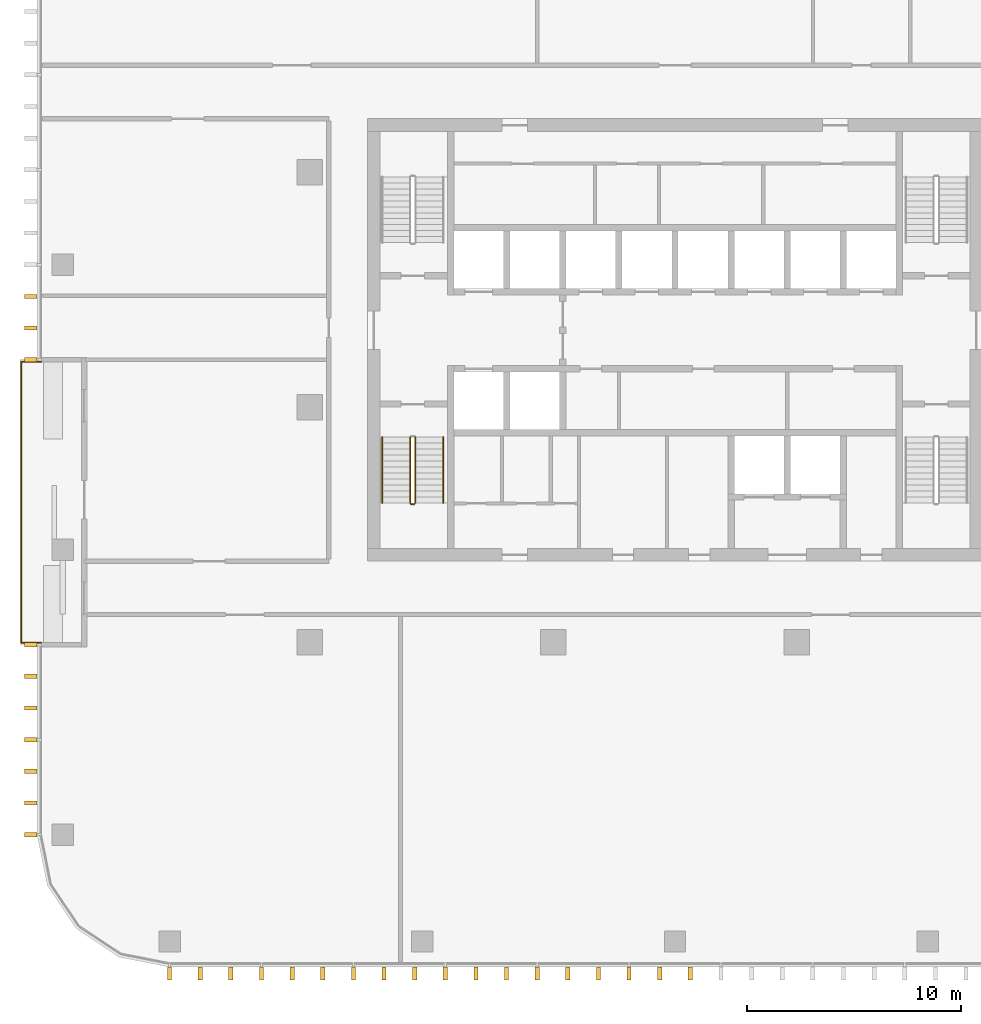
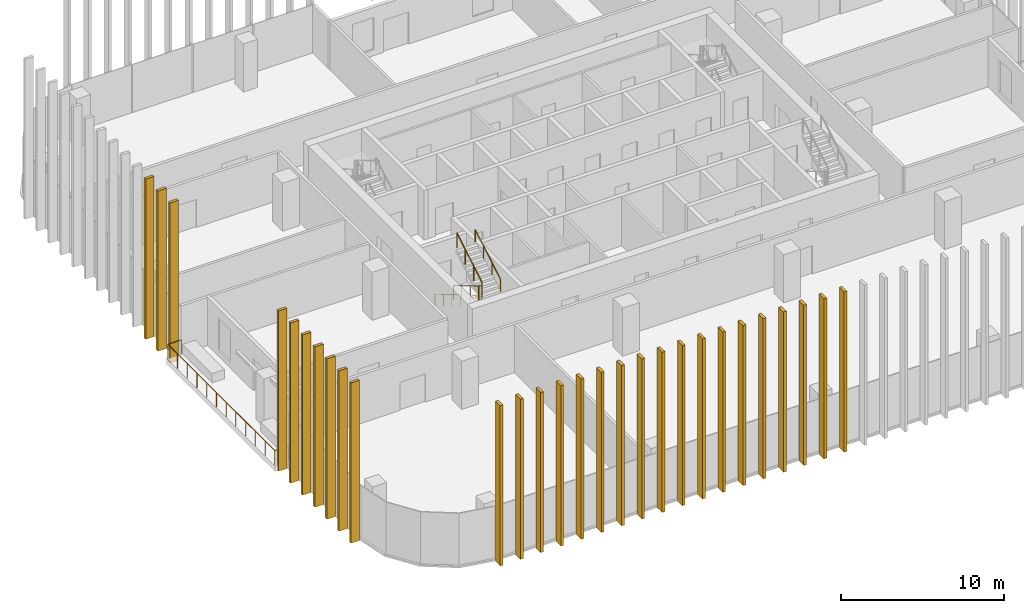
# One storey, part 11 of 16: 28 shading devices, 5 railings.
"""IFC4 building model written with IfcOpenShell, lengths in metres."""

import ifcopenshell
import ifcopenshell.guid

model = None  # the IFC model being written
_history = None  # IfcOwnerHistory: only IFC2X3 demands one
_inside = {}  # id of a spatial element -> (the spatial element, [elements in it])
_under = {}  # id of a project, library or spatial element -> (it, [spatial elements below it])
_declared = {}  # id of a project -> (the project, [libraries it declares])
_typed = {}  # id of a type object -> (the type object, [elements of that type])
_made_of = {}  # id of a material, layer set ... -> (it, [elements and type objects made of it])


def new_model(schema):
    """Start an empty IFC model of exactly this schema.

    Asked for "IFC4X3", IfcOpenShell would pick the latest addendum, in which some entities
    have other attributes; the version numbers below select the first issue.
    IFC2X3 requires an IfcOwnerHistory on every rooted entity: one is made here for all.
    """
    global model, _history
    if schema == "IFC4X3":
        model = ifcopenshell.file(schema_version=(4, 3, 0, 0))
    else:
        model = ifcopenshell.file(schema=schema)
    _inside.clear()
    _under.clear()
    _declared.clear()
    _typed.clear()
    _made_of.clear()
    _history = None
    if model.schema == "IFC2X3":
        org = make("IfcOrganization", Name="unknown")
        user = make(
            "IfcPersonAndOrganization",
            ThePerson=make("IfcPerson", FamilyName="unknown"),
            TheOrganization=org,
        )
        app = make(
            "IfcApplication",
            ApplicationDeveloper=org,
            Version="unknown",
            ApplicationFullName="unknown",
            ApplicationIdentifier="unknown",
        )
        _history = make(
            "IfcOwnerHistory",
            OwningUser=user,
            OwningApplication=app,
            ChangeAction="ADDED",
            CreationDate=0,
        )
    return model


def make(cls, **values):
    """One entity of the class cls with the attributes given. An attribute that is None is left unset."""
    return model.create_entity(
        cls, **{name: value for name, value in values.items() if value is not None}
    )


def rooted(cls, **values):
    """An entity with a GlobalId (a new one), such as an element, a storey or a relation."""
    return make(cls, GlobalId=ifcopenshell.guid.new(), OwnerHistory=_history, **values)


def si_unit(unit_type, name, prefix=None):
    """IfcSIUnit, for example si_unit("LENGTHUNIT", "METRE", prefix="MILLI")."""
    return make("IfcSIUnit", UnitType=unit_type, Prefix=prefix, Name=name)


def assignment(units):
    """IfcUnitAssignment: the units of a project."""
    return None if units is None else make("IfcUnitAssignment", Units=units)


def point(xyz):
    """IfcCartesianPoint."""
    return None if xyz is None else make("IfcCartesianPoint", Coordinates=xyz)


def direction(xyz):
    """IfcDirection."""
    return None if xyz is None else make("IfcDirection", DirectionRatios=xyz)


def frame(location, z_axis=None, x_axis=None):
    """IfcAxis2Placement3D, a coordinate frame: its origin and axes. An axis left out is left unset."""
    return make(
        "IfcAxis2Placement3D",
        Location=point(location),
        Axis=direction(z_axis),
        RefDirection=direction(x_axis),
    )


def frame_2d(location, x_axis=None):
    """IfcAxis2Placement2D, a coordinate frame in the plane: its origin and x axis."""
    return make(
        "IfcAxis2Placement2D", Location=point(location), RefDirection=direction(x_axis)
    )


def origin():
    """The frame at (0, 0, 0) with its axes left unset."""
    return frame((0.0, 0.0, 0.0))


def origin_2d():
    """The frame at (0, 0) in the plane with its x axis left unset."""
    return frame_2d((0.0, 0.0))


def place(relative_to, where):
    """IfcLocalPlacement: puts the frame where relative to a parent placement (None: the world)."""
    return make(
        "IfcLocalPlacement", PlacementRelTo=relative_to, RelativePlacement=where
    )


def context(
    kind, dimensions, precision=None, world=None, true_north=None, identifier=None
):
    """IfcGeometricRepresentationContext, for example the 3D "Model" context."""
    return make(
        "IfcGeometricRepresentationContext",
        ContextIdentifier=identifier,
        ContextType=kind,
        CoordinateSpaceDimension=dimensions,
        Precision=precision,
        WorldCoordinateSystem=world,
        TrueNorth=true_north,
    )


def subcontext(parent, identifier, kind, view, scale=None):
    """IfcGeometricRepresentationSubContext, for example "Body" below "Model"."""
    return make(
        "IfcGeometricRepresentationSubContext",
        ContextIdentifier=identifier,
        ContextType=kind,
        ParentContext=parent,
        TargetScale=scale,
        TargetView=view,
    )


def project(units=None, contexts=None):
    """IfcProject with its units and contexts."""
    return rooted(
        "IfcProject",
        Name="project",
        RepresentationContexts=contexts,
        UnitsInContext=assignment(units),
    )


def spatial(cls, under=None, at=None, **own):
    """A site, building, storey or space (cls), placed at a placement, below another one or the project."""
    s = rooted(cls, ObjectPlacement=at, **own)
    if under is not None:
        _under.setdefault(under.id(), (under, []))[1].append(s)
    return s


def profile(cls, at=None, kind="AREA", **sizes):
    """A parametric profile (cls). Its sizes go by their IFC names, for example OverallWidth=200.0."""
    return make(cls, ProfileType=kind, Position=at, **sizes)


def rectangle(**sizes):
    """IfcRectangleProfileDef."""
    return profile("IfcRectangleProfileDef", **sizes)


def circle(**sizes):
    """IfcCircleProfileDef."""
    return profile("IfcCircleProfileDef", **sizes)


def extrude(swept, where, along, depth):
    """IfcExtrudedAreaSolid: the profile swept, set in the frame where, extruded along a direction by depth."""
    return make(
        "IfcExtrudedAreaSolid",
        SweptArea=swept,
        Position=where,
        ExtrudedDirection=direction(along),
        Depth=depth,
    )


def shape(context_of_items, identifier, shape_type, items):
    """IfcShapeRepresentation: the items that make up one representation, for example the "Body"."""
    return make(
        "IfcShapeRepresentation",
        ContextOfItems=context_of_items,
        RepresentationIdentifier=identifier,
        RepresentationType=shape_type,
        Items=items,
    )


def material(Name=None, Category=None):
    """IfcMaterial."""
    return make("IfcMaterial", Name=Name, Category=Category)


def made_of(thing, what):
    """Note that an element or type object is made of a material, layer set ...; save() writes the relation."""
    if what is not None:
        _made_of.setdefault(what.id(), (what, []))[1].append(thing)
    return thing


def type_object(cls, material=None, **own):
    """A type object (cls), such as IfcWallType, which elements share."""
    return made_of(rooted(cls, **own), material)


def element(
    cls,
    number,
    at=None,
    inside=None,
    cuts=None,
    type_object=None,
    material=None,
    context=None,
    identifier="Body",
    shape_type=None,
    held_by="IfcProductDefinitionShape",
    body=None,
    shapes=None,
    **own,
):
    """One element of the class cls, such as IfcWall. Its Tag is "e" and its number.

    at: its placement. inside: the storey or other place that contains it. cuts: it is an
    opening in that element (IfcRelVoidsElement). A single representation is given by context,
    identifier, shape_type and body (its items); several are given by shapes. held_by: the class
    of the entity that holds the representations. save() writes the other relations.
    """
    e = rooted(cls, Tag="e%d" % number, ObjectPlacement=at, **own)
    if body is not None:
        shapes = [shape(context, identifier, shape_type, body)]
    if shapes is not None:
        e.Representation = make(held_by, Representations=shapes)
    if inside is not None:
        _inside.setdefault(inside.id(), (inside, []))[1].append(e)
    if cuts is not None:
        rooted(
            "IfcRelVoidsElement", RelatingBuildingElement=cuts, RelatedOpeningElement=e
        )
    if type_object is not None:
        _typed.setdefault(type_object.id(), (type_object, []))[1].append(e)
    return made_of(e, material)


def aggregate(whole, parts):
    """IfcRelAggregates: a whole, such as a stair, and the parts it consists of."""
    return rooted("IfcRelAggregates", RelatingObject=whole, RelatedObjects=parts)


def save(model, path):
    """Write the relations noted so far, then the file.

    IfcRelAggregates (storeys below a building ...), IfcRelContainedInSpatialStructure (elements
    in a storey), IfcRelDefinesByType, IfcRelAssociatesMaterial and IfcRelDeclares: one each for
    every whole, place, type object, material and project.
    """
    for whole, parts in _under.values():
        aggregate(whole, parts)
    for where, things in _inside.values():
        rooted(
            "IfcRelContainedInSpatialStructure",
            RelatedElements=things,
            RelatingStructure=where,
        )
    for kind, things in _typed.values():
        rooted("IfcRelDefinesByType", RelatedObjects=things, RelatingType=kind)
    for what, things in _made_of.values():
        rooted("IfcRelAssociatesMaterial", RelatedObjects=things, RelatingMaterial=what)
    for by, libraries in _declared.values():
        rooted("IfcRelDeclares", RelatingContext=by, RelatedDefinitions=libraries)
    model.write(path)


model = new_model("IFC4")

# Units and contexts
model_context = context("Model", 3, precision=1e-05, world=origin(), true_north=direction((0.0, 1.0)))
body_context = subcontext(model_context, "Body", "Model", "MODEL_VIEW")
ifc_project = project(units=[si_unit("LENGTHUNIT", "METRE"), si_unit("AREAUNIT", "SQUARE_METRE"), si_unit("VOLUMEUNIT", "CUBIC_METRE"), si_unit("PLANEANGLEUNIT", "RADIAN"), si_unit("MASSUNIT", "GRAM", prefix="KILO")], contexts=[model_context])

# Site, building, storey
site_placement = place(None, origin())
site = spatial("IfcSite", under=ifc_project, at=site_placement, CompositionType="ELEMENT")
building_placement = place(site_placement, origin())
building = spatial("IfcBuilding", under=site, at=building_placement, Name="Mopane Tessera Tower", CompositionType="ELEMENT")
storey_placement = place(building_placement, frame((0.0, 0.0, 279.39990234375)))
storey = spatial("IfcBuildingStorey", under=building, at=storey_placement, Name="L60", CompositionType="ELEMENT", Elevation=279.39990234375)

# Shading devices
ifc_material_1 = material(Name="Glazed ceramic tile")
shading_device_type = type_object("IfcShadingDeviceType", Name="Ceramic tile fin 600 x 200 mm", PredefinedType="USERDEFINED", material=ifc_material_1)
for number, where, z_axis, x_axis, name in (
    (1, (-23.64990234375, -26.5, -0.39990234375), (0.0, 0.0, 1.0), (1.0, 0.0, 0.0), "e:fin:L60:S:0:0"),
    (2, (-22.216552734375, -26.5, -0.39990234375), (0.0, 0.0, 1.0), (1.0, 0.0, 0.0), "e:fin:L60:S:0:1"),
    (3, (-20.783447265625, -26.5, -0.39990234375), (0.0, 0.0, 1.0), (1.0, 0.0, 0.0), "e:fin:L60:S:0:2"),
    (4, (-19.35009765625, -26.5, -0.39990234375), (0.0, 0.0, 1.0), (1.0, 0.0, 0.0), "e:fin:L60:S:1:0"),
    (5, (-17.916748046875, -26.5, -0.39990234375), (0.0, 0.0, 1.0), (1.0, 0.0, 0.0), "e:fin:L60:S:1:1"),
    (6, (-16.4833984375, -26.5, -0.39990234375), (0.0, 0.0, 1.0), (1.0, 0.0, 0.0), "e:fin:L60:S:1:2"),
    (7, (-15.050048828125, -26.5, -0.39990234375), (0.0, 0.0, 1.0), (1.0, 0.0, 0.0), "e:fin:L60:S:2:0"),
    (8, (-13.61669921875, -26.5, -0.39990234375), (0.0, 0.0, 1.0), (1.0, 0.0, 0.0), "e:fin:L60:S:2:1"),
    (9, (-12.183349609375, -26.5, -0.39990234375), (0.0, 0.0, 1.0), (1.0, 0.0, 0.0), "e:fin:L60:S:2:2"),
    (10, (-10.75, -26.5, -0.39990234375), (0.0, 0.0, 1.0), (1.0, 0.0, 0.0), "e:fin:L60:S:3:0"),
    (11, (-9.316650390625, -26.5, -0.39990234375), (0.0, 0.0, 1.0), (1.0, 0.0, 0.0), "e:fin:L60:S:3:1"),
    (12, (-7.88330078125, -26.5, -0.39990234375), (0.0, 0.0, 1.0), (1.0, 0.0, 0.0), "e:fin:L60:S:3:2"),
    (13, (-6.449951171875, -26.5, -0.39990234375), (0.0, 0.0, 1.0), (1.0, 0.0, 0.0), "e:fin:L60:S:4:0"),
    (14, (-5.0166015625, -26.5, -0.39990234375), (0.0, 0.0, 1.0), (1.0, 0.0, 0.0), "e:fin:L60:S:4:1"),
    (15, (-3.583251953125, -26.5, -0.39990234375), (0.0, 0.0, 1.0), (1.0, 0.0, 0.0), "e:fin:L60:S:4:2"),
    (16, (-2.14990234375, -26.5, -0.39990234375), (0.0, 0.0, 1.0), (1.0, 0.0, 0.0), "e:fin:L60:S:5:0"),
    (17, (-0.716552734375, -26.5, -0.39990234375), (0.0, 0.0, 1.0), (1.0, 0.0, 0.0), "e:fin:L60:S:5:1"),
    (18, (0.716552734375, -26.5, -0.39990234375), (0.0, 0.0, 1.0), (1.0, 0.0, 0.0), "e:fin:L60:S:5:2"),
    (19, (-30.14990234375, 5.185302734375, -0.39990234375), (0.0, 0.0, 1.0), (0.0, -1.0, 0.0), "e:fin:L60:W:3:1"),
    (20, (-30.14990234375, 3.70361328125, -0.39990234375), (0.0, 0.0, 1.0), (0.0, -1.0, 0.0), "e:fin:L60:W:3:2"),
    (21, (-30.14990234375, 2.22216796875, -0.39990234375), (0.0, 0.0, 1.0), (0.0, -1.0, 0.0), "e:fin:L60:W:3:3"),
    (22, (-30.14990234375, -11.111083984375, -0.39990234375), (0.0, 0.0, 1.0), (0.0, -1.0, 0.0), "e:fin:L60:W:7:0"),
    (23, (-30.14990234375, -12.592529296875, -0.39990234375), (0.0, 0.0, 1.0), (0.0, -1.0, 0.0), "e:fin:L60:W:7:1"),
    (24, (-30.14990234375, -14.073974609375, -0.39990234375), (0.0, 0.0, 1.0), (0.0, -1.0, 0.0), "e:fin:L60:W:7:2"),
    (25, (-30.14990234375, -15.5556640625, -0.39990234375), (0.0, 0.0, 1.0), (0.0, -1.0, 0.0), "e:fin:L60:W:8:0"),
    (26, (-30.14990234375, -17.037109375, -0.39990234375), (0.0, 0.0, 1.0), (0.0, -1.0, 0.0), "e:fin:L60:W:8:1"),
    (27, (-30.14990234375, -18.5185546875, -0.39990234375), (0.0, 0.0, 1.0), (0.0, -1.0, 0.0), "e:fin:L60:W:8:2"),
    (28, (-30.14990234375, -20.0, -0.39990234375), (0.0, 0.0, 1.0), (0.0, -1.0, 0.0), "e:fin:L60:W:8:3"),
):
    element("IfcShadingDevice", number, at=place(storey_placement, frame(where, z_axis=z_axis, x_axis=x_axis)), inside=storey, type_object=shading_device_type, Name=name, ObjectType="FIN", PredefinedType="USERDEFINED", context=body_context, shape_type="SweptSolid", body=[
        extrude(rectangle(XDim=0.199951171875, YDim=0.60009765625, at=origin_2d()), origin(), (0.0, 0.0, 1.0), 12.0),
    ])

# Railings
ifc_material_2 = material(Name="Powder-coated steel balustrade", Category="steel")
railing_type_1 = type_object("IfcRailingType", Name="Escape stair guard 1100 mm", PredefinedType="GUARDRAIL", material=ifc_material_2)
railing_1_placement = place(storey_placement, frame((-12.39990234375, -1.39990234375, 0.166748046875)))
element("IfcRailing", 29, at=railing_1_placement, inside=storey, type_object=railing_type_1, Name="L60 ST1 stair guard 1", PredefinedType="GUARDRAIL", context=body_context, shape_type="SweptSolid", body=[
    extrude(circle(Radius=0.02392578125, at=origin_2d()), frame((0.0, 0.0, 1.076171875), z_axis=(0.0, -0.859308565015, 0.511457515432), x_axis=(1.0, 0.0, 0.0)), (0.0, 0.0, 1.0), 3.58447265625),
    extrude(circle(Radius=0.02392578125, at=origin_2d()), frame((0.0, -3.080078125, 2.9091796875), z_axis=(0.705375805398, -0.708833529934, 0.0), x_axis=(0.708833529934, 0.705375805398, 0.0)), (0.0, 0.0, 1.0), 0.070556640625),
    extrude(circle(Radius=0.02392578125, at=origin_2d()), frame((0.0498046875, -3.130126953125, 2.9091796875), z_axis=(1.0, 0.0, 0.0), x_axis=(0.0, 1.0, 0.0)), (0.0, 0.0, 1.0), 0.150146484375),
    extrude(circle(Radius=0.02099609375, at=origin_2d()), origin(), (0.0, 0.0, 1.0), 1.052001953125),
    extrude(circle(Radius=0.02099609375, at=origin_2d()), frame((0.0, -1.026611328125, 0.611083984375)), (0.0, 0.0, 1.0), 1.052001953125),
    extrude(circle(Radius=0.02099609375, at=origin_2d()), frame((0.0, -2.053466796875, 1.22216796875)), (0.0, 0.0, 1.0), 1.052001953125),
    extrude(circle(Radius=0.02099609375, at=origin_2d()), frame((0.0, -3.080078125, 1.833251953125)), (0.0, 0.0, 1.0), 1.052001953125),
    extrude(circle(Radius=0.02099609375, at=origin_2d()), frame((0.0498046875, -3.130126953125, 1.833251953125)), (0.0, 0.0, 1.0), 1.052001953125),
    extrude(circle(Radius=0.02099609375, at=origin_2d()), frame((0.199951171875, -3.130126953125, 1.833251953125)), (0.0, 0.0, 1.0), 1.052001953125),
])
railing_2_placement = place(storey_placement, frame((-12.14990234375, -4.47998046875, 2.166748046875)))
element("IfcRailing", 30, at=railing_2_placement, inside=storey, type_object=railing_type_1, Name="L60 ST1 stair guard 2", PredefinedType="GUARDRAIL", context=body_context, shape_type="SweptSolid", body=[
    extrude(circle(Radius=0.02392578125, at=origin_2d()), frame((0.0, 0.0, 1.076171875), z_axis=(0.0, 0.859308565015, 0.511457515432), x_axis=(-1.0, 0.0, 0.0)), (0.0, 0.0, 1.0), 3.58447265625),
    extrude(circle(Radius=0.02099609375, at=origin_2d()), origin(), (0.0, 0.0, 1.0), 1.052001953125),
    extrude(circle(Radius=0.02099609375, at=origin_2d()), frame((0.0, 1.026611328125, 0.611083984375)), (0.0, 0.0, 1.0), 1.052001953125),
    extrude(circle(Radius=0.02099609375, at=origin_2d()), frame((0.0, 2.053466796875, 1.22216796875)), (0.0, 0.0, 1.0), 1.052001953125),
    extrude(circle(Radius=0.02099609375, at=origin_2d()), frame((0.0, 3.080078125, 1.833251953125)), (0.0, 0.0, 1.0), 1.052001953125),
])
ifc_material_3 = material(Name="Powder-coated steel balustrade", Category="steel")
railing_type_2 = type_object("IfcRailingType", Name="Escape stair handrail 900 mm", PredefinedType="HANDRAIL", material=ifc_material_3)
railing_3_placement = place(storey_placement, frame((-13.699951171875, -1.39990234375, 0.166748046875)))
element("IfcRailing", 31, at=railing_3_placement, inside=storey, type_object=railing_type_2, Name="L60 ST1 stair handrail 1", PredefinedType="HANDRAIL", context=body_context, shape_type="SweptSolid", body=[
    extrude(circle(Radius=0.02392578125, at=origin_2d()), frame((0.0, 0.0, 0.8759765625), z_axis=(0.0, -0.859308565015, 0.511457515432), x_axis=(1.0, 0.0, 0.0)), (0.0, 0.0, 1.0), 3.58447265625),
    extrude(circle(Radius=0.02099609375, at=origin_2d()), origin(), (0.0, 0.0, 1.0), 0.851806640625),
    extrude(circle(Radius=0.02099609375, at=origin_2d()), frame((0.0, -1.026611328125, 0.611083984375)), (0.0, 0.0, 1.0), 0.851806640625),
    extrude(circle(Radius=0.02099609375, at=origin_2d()), frame((0.0, -2.053466796875, 1.22216796875)), (0.0, 0.0, 1.0), 0.851806640625),
    extrude(circle(Radius=0.02099609375, at=origin_2d()), frame((0.0, -3.080078125, 1.833251953125)), (0.0, 0.0, 1.0), 0.851806640625),
])
railing_4_placement = place(storey_placement, frame((-10.85009765625, -4.47998046875, 2.166748046875)))
element("IfcRailing", 32, at=railing_4_placement, inside=storey, type_object=railing_type_2, Name="L60 ST1 stair handrail 2", PredefinedType="HANDRAIL", context=body_context, shape_type="SweptSolid", body=[
    extrude(circle(Radius=0.02392578125, at=origin_2d()), frame((0.0, 0.0, 0.8759765625), z_axis=(0.0, 0.859308565015, 0.511457515432), x_axis=(-1.0, 0.0, 0.0)), (0.0, 0.0, 1.0), 3.58447265625),
    extrude(circle(Radius=0.02099609375, at=origin_2d()), origin(), (0.0, 0.0, 1.0), 0.851806640625),
    extrude(circle(Radius=0.02099609375, at=origin_2d()), frame((0.0, 1.026611328125, 0.611083984375)), (0.0, 0.0, 1.0), 0.851806640625),
    extrude(circle(Radius=0.02099609375, at=origin_2d()), frame((0.0, 2.053466796875, 1.22216796875)), (0.0, 0.0, 1.0), 0.851806640625),
    extrude(circle(Radius=0.02099609375, at=origin_2d()), frame((0.0, 3.080078125, 1.833251953125)), (0.0, 0.0, 1.0), 0.851806640625),
])
ifc_material_4 = material(Name="Stainless steel S316", Category="steel")
railing_type_3 = type_object("IfcRailingType", Name="Terrace guard 1100", PredefinedType="GUARDRAIL", material=ifc_material_4)
railing_5_placement = place(storey_placement, frame((-29.64990234375, 2.122314453125, 0.0)))
element("IfcRailing", 33, at=railing_5_placement, inside=storey, type_object=railing_type_3, Name="e:nw:L60:N3:guard", PredefinedType="GUARDRAIL", context=body_context, shape_type="SweptSolid", body=[
    extrude(circle(Radius=0.02392578125, at=origin_2d()), frame((0.0, 0.0, 1.076171875), z_axis=(-1.0, 0.0, 0.0), x_axis=(0.0, -1.0, 0.0)), (0.0, 0.0, 1.0), 0.9501953125),
    extrude(circle(Radius=0.02392578125, at=origin_2d()), frame((-0.9501953125, 0.0, 1.076171875), z_axis=(0.0, -1.0, 0.0), x_axis=(1.0, 0.0, 0.0)), (0.0, 0.0, 1.0), 13.133544921875),
    extrude(circle(Radius=0.02392578125, at=origin_2d()), frame((-0.9501953125, -13.133544921875, 1.076171875), z_axis=(1.0, 0.0, 0.0), x_axis=(0.0, 1.0, 0.0)), (0.0, 0.0, 1.0), 0.9501953125),
    extrude(circle(Radius=0.02099609375, at=origin_2d()), origin(), (0.0, 0.0, 1.0), 1.052001953125),
    extrude(circle(Radius=0.02099609375, at=origin_2d()), frame((-0.9501953125, 0.0, 0.0)), (0.0, 0.0, 1.0), 1.052001953125),
    extrude(circle(Radius=0.02099609375, at=origin_2d()), frame((-0.9501953125, -1.19384765625, 0.0)), (0.0, 0.0, 1.0), 1.052001953125),
    extrude(circle(Radius=0.02099609375, at=origin_2d()), frame((-0.9501953125, -2.387939453125, 0.0)), (0.0, 0.0, 1.0), 1.052001953125),
    extrude(circle(Radius=0.02099609375, at=origin_2d()), frame((-0.9501953125, -3.581787109375, 0.0)), (0.0, 0.0, 1.0), 1.052001953125),
    extrude(circle(Radius=0.02099609375, at=origin_2d()), frame((-0.9501953125, -4.77587890625, 0.0)), (0.0, 0.0, 1.0), 1.052001953125),
    extrude(circle(Radius=0.02099609375, at=origin_2d()), frame((-0.9501953125, -5.9697265625, 0.0)), (0.0, 0.0, 1.0), 1.052001953125),
    extrude(circle(Radius=0.02099609375, at=origin_2d()), frame((-0.9501953125, -7.163818359375, 0.0)), (0.0, 0.0, 1.0), 1.052001953125),
    extrude(circle(Radius=0.02099609375, at=origin_2d()), frame((-0.9501953125, -8.357666015625, 0.0)), (0.0, 0.0, 1.0), 1.052001953125),
    extrude(circle(Radius=0.02099609375, at=origin_2d()), frame((-0.9501953125, -9.5517578125, 0.0)), (0.0, 0.0, 1.0), 1.052001953125),
    extrude(circle(Radius=0.02099609375, at=origin_2d()), frame((-0.9501953125, -10.74560546875, 0.0)), (0.0, 0.0, 1.0), 1.052001953125),
    extrude(circle(Radius=0.02099609375, at=origin_2d()), frame((-0.9501953125, -11.939697265625, 0.0)), (0.0, 0.0, 1.0), 1.052001953125),
    extrude(circle(Radius=0.02099609375, at=origin_2d()), frame((-0.9501953125, -13.133544921875, 0.0)), (0.0, 0.0, 1.0), 1.052001953125),
    extrude(circle(Radius=0.02099609375, at=origin_2d()), frame((0.0, -13.133544921875, 0.0)), (0.0, 0.0, 1.0), 1.052001953125),
])

save(model, "model.ifc")
